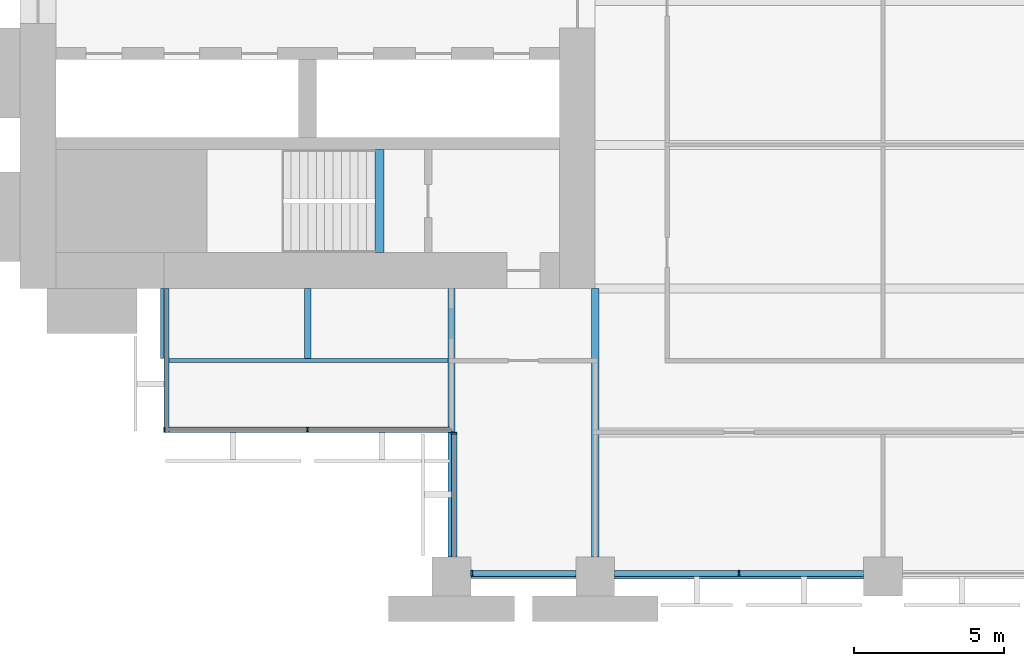
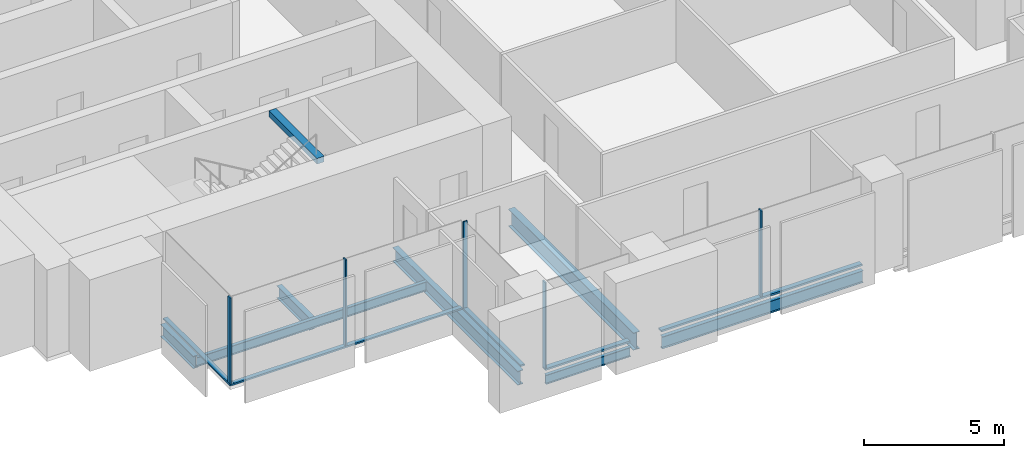
# One storey, part 2 of 14: 10 members, 8 beams, 4 elements without a shape of their own.
"""IFC4 building model written with IfcOpenShell, lengths in metres."""

import ifcopenshell
import ifcopenshell.guid

model = None  # the IFC model being written
_history = None  # IfcOwnerHistory: only IFC2X3 demands one
_inside = {}  # id of a spatial element -> (the spatial element, [elements in it])
_under = {}  # id of a project, library or spatial element -> (it, [spatial elements below it])
_declared = {}  # id of a project -> (the project, [libraries it declares])
_typed = {}  # id of a type object -> (the type object, [elements of that type])
_made_of = {}  # id of a material, layer set ... -> (it, [elements and type objects made of it])


def new_model(schema):
    """Start an empty IFC model of exactly this schema.

    Asked for "IFC4X3", IfcOpenShell would pick the latest addendum, in which some entities
    have other attributes; the version numbers below select the first issue.
    IFC2X3 requires an IfcOwnerHistory on every rooted entity: one is made here for all.
    """
    global model, _history
    if schema == "IFC4X3":
        model = ifcopenshell.file(schema_version=(4, 3, 0, 0))
    else:
        model = ifcopenshell.file(schema=schema)
    _inside.clear()
    _under.clear()
    _declared.clear()
    _typed.clear()
    _made_of.clear()
    _history = None
    if model.schema == "IFC2X3":
        org = make("IfcOrganization", Name="unknown")
        user = make(
            "IfcPersonAndOrganization",
            ThePerson=make("IfcPerson", FamilyName="unknown"),
            TheOrganization=org,
        )
        app = make(
            "IfcApplication",
            ApplicationDeveloper=org,
            Version="unknown",
            ApplicationFullName="unknown",
            ApplicationIdentifier="unknown",
        )
        _history = make(
            "IfcOwnerHistory",
            OwningUser=user,
            OwningApplication=app,
            ChangeAction="ADDED",
            CreationDate=0,
        )
    return model


def make(cls, **values):
    """One entity of the class cls with the attributes given. An attribute that is None is left unset."""
    return model.create_entity(
        cls, **{name: value for name, value in values.items() if value is not None}
    )


def rooted(cls, **values):
    """An entity with a GlobalId (a new one), such as an element, a storey or a relation."""
    return make(cls, GlobalId=ifcopenshell.guid.new(), OwnerHistory=_history, **values)


def si_unit(unit_type, name, prefix=None):
    """IfcSIUnit, for example si_unit("LENGTHUNIT", "METRE", prefix="MILLI")."""
    return make("IfcSIUnit", UnitType=unit_type, Prefix=prefix, Name=name)


def assignment(units):
    """IfcUnitAssignment: the units of a project."""
    return None if units is None else make("IfcUnitAssignment", Units=units)


def point(xyz):
    """IfcCartesianPoint."""
    return None if xyz is None else make("IfcCartesianPoint", Coordinates=xyz)


def direction(xyz):
    """IfcDirection."""
    return None if xyz is None else make("IfcDirection", DirectionRatios=xyz)


def frame(location, z_axis=None, x_axis=None):
    """IfcAxis2Placement3D, a coordinate frame: its origin and axes. An axis left out is left unset."""
    return make(
        "IfcAxis2Placement3D",
        Location=point(location),
        Axis=direction(z_axis),
        RefDirection=direction(x_axis),
    )


def frame_2d(location, x_axis=None):
    """IfcAxis2Placement2D, a coordinate frame in the plane: its origin and x axis."""
    return make(
        "IfcAxis2Placement2D", Location=point(location), RefDirection=direction(x_axis)
    )


def origin():
    """The frame at (0, 0, 0) with its axes left unset."""
    return frame((0.0, 0.0, 0.0))


def origin_2d():
    """The frame at (0, 0) in the plane with its x axis left unset."""
    return frame_2d((0.0, 0.0))


def place(relative_to, where):
    """IfcLocalPlacement: puts the frame where relative to a parent placement (None: the world)."""
    return make(
        "IfcLocalPlacement", PlacementRelTo=relative_to, RelativePlacement=where
    )


def context(
    kind, dimensions, precision=None, world=None, true_north=None, identifier=None
):
    """IfcGeometricRepresentationContext, for example the 3D "Model" context."""
    return make(
        "IfcGeometricRepresentationContext",
        ContextIdentifier=identifier,
        ContextType=kind,
        CoordinateSpaceDimension=dimensions,
        Precision=precision,
        WorldCoordinateSystem=world,
        TrueNorth=true_north,
    )


def subcontext(parent, identifier, kind, view, scale=None):
    """IfcGeometricRepresentationSubContext, for example "Body" below "Model"."""
    return make(
        "IfcGeometricRepresentationSubContext",
        ContextIdentifier=identifier,
        ContextType=kind,
        ParentContext=parent,
        TargetScale=scale,
        TargetView=view,
    )


def project(units=None, contexts=None):
    """IfcProject with its units and contexts."""
    return rooted(
        "IfcProject",
        Name="project",
        RepresentationContexts=contexts,
        UnitsInContext=assignment(units),
    )


def spatial(cls, under=None, at=None, **own):
    """A site, building, storey or space (cls), placed at a placement, below another one or the project."""
    s = rooted(cls, ObjectPlacement=at, **own)
    if under is not None:
        _under.setdefault(under.id(), (under, []))[1].append(s)
    return s


def profile(cls, at=None, kind="AREA", **sizes):
    """A parametric profile (cls). Its sizes go by their IFC names, for example OverallWidth=200.0."""
    return make(cls, ProfileType=kind, Position=at, **sizes)


def rectangle(**sizes):
    """IfcRectangleProfileDef."""
    return profile("IfcRectangleProfileDef", **sizes)


def i_section(**sizes):
    """IfcIShapeProfileDef."""
    return profile("IfcIShapeProfileDef", **sizes)


def extrude(swept, where, along, depth):
    """IfcExtrudedAreaSolid: the profile swept, set in the frame where, extruded along a direction by depth."""
    return make(
        "IfcExtrudedAreaSolid",
        SweptArea=swept,
        Position=where,
        ExtrudedDirection=direction(along),
        Depth=depth,
    )


def shape(context_of_items, identifier, shape_type, items):
    """IfcShapeRepresentation: the items that make up one representation, for example the "Body"."""
    return make(
        "IfcShapeRepresentation",
        ContextOfItems=context_of_items,
        RepresentationIdentifier=identifier,
        RepresentationType=shape_type,
        Items=items,
    )


def material(Name=None, Category=None):
    """IfcMaterial."""
    return make("IfcMaterial", Name=Name, Category=Category)


def material_profile(
    of_material, cross_section, Name=None, Category=None, Priority=None
):
    """IfcMaterialProfile: a cross section and its material."""
    return make(
        "IfcMaterialProfile",
        Name=Name,
        Material=of_material,
        Profile=cross_section,
        Priority=Priority,
        Category=Category,
    )


def profile_set(profiles, Name=None, composite=None):
    """IfcMaterialProfileSet."""
    return make(
        "IfcMaterialProfileSet",
        Name=Name,
        MaterialProfiles=profiles,
        CompositeProfile=composite,
    )


def made_of(thing, what):
    """Note that an element or type object is made of a material, layer set ...; save() writes the relation."""
    if what is not None:
        _made_of.setdefault(what.id(), (what, []))[1].append(thing)
    return thing


def type_object(cls, material=None, **own):
    """A type object (cls), such as IfcWallType, which elements share."""
    return made_of(rooted(cls, **own), material)


def element(
    cls,
    number,
    at=None,
    inside=None,
    cuts=None,
    type_object=None,
    material=None,
    context=None,
    identifier="Body",
    shape_type=None,
    held_by="IfcProductDefinitionShape",
    body=None,
    shapes=None,
    **own,
):
    """One element of the class cls, such as IfcWall. Its Tag is "e" and its number.

    at: its placement. inside: the storey or other place that contains it. cuts: it is an
    opening in that element (IfcRelVoidsElement). A single representation is given by context,
    identifier, shape_type and body (its items); several are given by shapes. held_by: the class
    of the entity that holds the representations. save() writes the other relations.
    """
    e = rooted(cls, Tag="e%d" % number, ObjectPlacement=at, **own)
    if body is not None:
        shapes = [shape(context, identifier, shape_type, body)]
    if shapes is not None:
        e.Representation = make(held_by, Representations=shapes)
    if inside is not None:
        _inside.setdefault(inside.id(), (inside, []))[1].append(e)
    if cuts is not None:
        rooted(
            "IfcRelVoidsElement", RelatingBuildingElement=cuts, RelatedOpeningElement=e
        )
    if type_object is not None:
        _typed.setdefault(type_object.id(), (type_object, []))[1].append(e)
    return made_of(e, material)


def aggregate(whole, parts):
    """IfcRelAggregates: a whole, such as a stair, and the parts it consists of."""
    return rooted("IfcRelAggregates", RelatingObject=whole, RelatedObjects=parts)


def save(model, path):
    """Write the relations noted so far, then the file.

    IfcRelAggregates (storeys below a building ...), IfcRelContainedInSpatialStructure (elements
    in a storey), IfcRelDefinesByType, IfcRelAssociatesMaterial and IfcRelDeclares: one each for
    every whole, place, type object, material and project.
    """
    for whole, parts in _under.values():
        aggregate(whole, parts)
    for where, things in _inside.values():
        rooted(
            "IfcRelContainedInSpatialStructure",
            RelatedElements=things,
            RelatingStructure=where,
        )
    for kind, things in _typed.values():
        rooted("IfcRelDefinesByType", RelatedObjects=things, RelatingType=kind)
    for what, things in _made_of.values():
        rooted("IfcRelAssociatesMaterial", RelatedObjects=things, RelatingMaterial=what)
    for by, libraries in _declared.values():
        rooted("IfcRelDeclares", RelatingContext=by, RelatedDefinitions=libraries)
    model.write(path)


model = new_model("IFC4")

# Units and contexts
model_context = context("Model", 3, precision=1e-05, world=origin(), true_north=direction((0.0, 1.0)))
body_context = subcontext(model_context, "Body", "Model", "MODEL_VIEW")
ifc_project = project(units=[si_unit("LENGTHUNIT", "METRE"), si_unit("AREAUNIT", "SQUARE_METRE"), si_unit("VOLUMEUNIT", "CUBIC_METRE"), si_unit("PLANEANGLEUNIT", "RADIAN"), si_unit("MASSUNIT", "GRAM", prefix="KILO")], contexts=[model_context])

# Site, building, storey
site_placement = place(None, origin())
site = spatial("IfcSite", under=ifc_project, at=site_placement, CompositionType="ELEMENT")
building_placement = place(site_placement, origin())
building = spatial("IfcBuilding", under=site, at=building_placement, Name="Baori Bourse Tower", CompositionType="ELEMENT")
storey_placement = place(building_placement, frame((0.0, 0.0, 43.0)))
storey = spatial("IfcBuildingStorey", under=building, at=storey_placement, Name="L08", CompositionType="ELEMENT", Elevation=43.0)

# Curtain wall, members
ifc_material_1 = material(Name="Pale anodised aluminium", Category="aluminium")
curtain_wall_type_1 = type_object("IfcCurtainWallType", Name="CW1 Curtain wall", PredefinedType="NOTDEFINED", material=ifc_material_1)
curtain_wall_1_placement = place(storey_placement, origin())
curtain_wall_1 = element("IfcCurtainWall", 1, at=curtain_wall_1_placement, inside=storey, type_object=curtain_wall_type_1, Name="Curtain wall CW1 L08 11", PredefinedType="NOTDEFINED")
ifc_material_2 = material(Name="Pale anodised aluminium", Category="aluminium")
ifc_material_profile_1 = material_profile(ifc_material_2, rectangle(XDim=0.199951171875, YDim=0.06005859375, at=origin_2d()), Name="Mullion 60x200")
ifc_profile_set_1 = profile_set([ifc_material_profile_1], Name="Pale anodised aluminium")
member_type_1 = type_object("IfcMemberType", Name="CW1 Curtain wall mullion", PredefinedType="MULLION", material=ifc_profile_set_1)
member_1_placement = place(storey_placement, frame((15.080078125, 0.10009765625, 0.080078125), z_axis=(0.0, 0.0, 1.0), x_axis=(0.0, 1.0, 0.0)))
member_1 = element("IfcMember", 2, at=member_1_placement, type_object=member_type_1, Name="Curtain wall CW1 mullion", PredefinedType="MULLION", context=body_context, shape_type="SweptSolid", body=[
    extrude(rectangle(XDim=0.199951171875, YDim=0.06005859375, at=origin_2d()), origin(), (0.0, 0.0, 1.0), 3.760009765625),
])
member_2_placement = place(storey_placement, frame((24.0, 0.10009765625, 0.080078125), z_axis=(0.0, 0.0, 1.0), x_axis=(0.0, 1.0, 0.0)))
member_2 = element("IfcMember", 3, at=member_2_placement, type_object=member_type_1, Name="Curtain wall CW1 mullion", PredefinedType="MULLION", context=body_context, shape_type="SweptSolid", body=[
    extrude(rectangle(XDim=0.199951171875, YDim=0.06005859375, at=origin_2d()), origin(), (0.0, 0.0, 1.0), 3.760009765625),
])
ifc_material_3 = material(Name="Pale anodised aluminium", Category="aluminium")
ifc_material_profile_2 = material_profile(ifc_material_3, rectangle(XDim=0.199951171875, YDim=0.080078125, at=origin_2d()), Name="Transom 80x200")
ifc_profile_set_2 = profile_set([ifc_material_profile_2], Name="Pale anodised aluminium")
member_type_2 = type_object("IfcMemberType", Name="CW1 Curtain wall transom", PredefinedType="USERDEFINED", material=ifc_profile_set_2)
member_3_placement = place(storey_placement, frame((15.050048828125, 0.10009765625, 0.0400390625), z_axis=(1.0, 0.0, 0.0), x_axis=(0.0, 1.0, 0.0)))
member_3 = element("IfcMember", 4, at=member_3_placement, type_object=member_type_2, Name="Curtain wall CW1 sill rail", ObjectType="TRANSOM", PredefinedType="USERDEFINED", context=body_context, shape_type="SweptSolid", body=[
    extrude(rectangle(XDim=0.199951171875, YDim=0.080078125, at=origin_2d()), origin(), (0.0, 0.0, 1.0), 3.5),
])
member_4_placement = place(storey_placement, frame((19.85009765625, 0.10009765625, 0.0400390625), z_axis=(1.0, 0.0, 0.0), x_axis=(0.0, 1.0, 0.0)))
member_4 = element("IfcMember", 5, at=member_4_placement, type_object=member_type_2, Name="Curtain wall CW1 sill rail", ObjectType="TRANSOM", PredefinedType="USERDEFINED", context=body_context, shape_type="SweptSolid", body=[
    extrude(rectangle(XDim=0.199951171875, YDim=0.080078125, at=origin_2d()), origin(), (0.0, 0.0, 1.0), 8.2998046875),
])
aggregate(curtain_wall_1, [member_3, member_1, member_4, member_2])

ifc_material_4 = material(Name="Pale anodised aluminium", Category="aluminium")
curtain_wall_type_2 = type_object("IfcCurtainWallType", Name="CW2 Curtain wall", PredefinedType="NOTDEFINED", material=ifc_material_4)
curtain_wall_2_placement = place(storey_placement, origin())
curtain_wall_2 = element("IfcCurtainWall", 6, at=curtain_wall_2_placement, inside=storey, type_object=curtain_wall_type_2, Name="Curtain wall CW2 L08 9", PredefinedType="NOTDEFINED")
ifc_material_5 = material(Name="Pale anodised aluminium", Category="aluminium")
ifc_material_profile_3 = material_profile(ifc_material_5, rectangle(XDim=0.179931640625, YDim=0.054931640625, at=origin_2d()), Name="Mullion 55x180")
ifc_profile_set_3 = profile_set([ifc_material_profile_3], Name="Pale anodised aluminium")
member_type_3 = type_object("IfcMemberType", Name="CW2 Curtain wall mullion", PredefinedType="MULLION", material=ifc_profile_set_3)
member_5_placement = place(storey_placement, frame((4.827392578125, 4.889892578125, 0.070068359375), z_axis=(0.0, 0.0, 1.0), x_axis=(0.0, 1.0, 0.0)))
member_5 = element("IfcMember", 7, at=member_5_placement, type_object=member_type_3, Name="Curtain wall CW2 mullion", PredefinedType="MULLION", context=body_context, shape_type="SweptSolid", body=[
    extrude(rectangle(XDim=0.179931640625, YDim=0.054931640625, at=origin_2d()), origin(), (0.0, 0.0, 1.0), 3.77001953125),
])
member_6_placement = place(storey_placement, frame((9.60009765625, 4.889892578125, 0.070068359375), z_axis=(0.0, 0.0, 1.0), x_axis=(0.0, 1.0, 0.0)))
member_6 = element("IfcMember", 8, at=member_6_placement, type_object=member_type_3, Name="Curtain wall CW2 mullion", PredefinedType="MULLION", context=body_context, shape_type="SweptSolid", body=[
    extrude(rectangle(XDim=0.179931640625, YDim=0.054931640625, at=origin_2d()), origin(), (0.0, 0.0, 1.0), 3.77001953125),
])

# Curtain wall, member
curtain_wall_3_placement = place(storey_placement, origin())
curtain_wall_3 = element("IfcCurtainWall", 9, at=curtain_wall_3_placement, inside=storey, type_object=curtain_wall_type_2, Name="Curtain wall CW2 L08 10", PredefinedType="NOTDEFINED")
member_7_placement = place(storey_placement, frame((14.489990234375, 4.7724609375, 0.070068359375), z_axis=(0.0, 0.0, 1.0), x_axis=(1.0, 0.0, 0.0)))
member_7 = element("IfcMember", 10, at=member_7_placement, type_object=member_type_3, Name="Curtain wall CW2 mullion", PredefinedType="MULLION", context=body_context, shape_type="SweptSolid", body=[
    extrude(rectangle(XDim=0.179931640625, YDim=0.054931640625, at=origin_2d()), origin(), (0.0, 0.0, 1.0), 3.77001953125),
])

curtain_wall_4_placement = place(storey_placement, origin())
curtain_wall_4 = element("IfcCurtainWall", 11, at=curtain_wall_4_placement, inside=storey, type_object=curtain_wall_type_2, Name="Curtain wall CW2 L08 8", PredefinedType="NOTDEFINED")
ifc_material_6 = material(Name="Pale anodised aluminium", Category="aluminium")
ifc_material_profile_4 = material_profile(ifc_material_6, rectangle(XDim=0.179931640625, YDim=0.070068359375, at=origin_2d()), Name="Transom 70x180")
ifc_profile_set_4 = profile_set([ifc_material_profile_4], Name="Pale anodised aluminium")
member_type_4 = type_object("IfcMemberType", Name="CW2 Curtain wall transom", PredefinedType="USERDEFINED", material=ifc_profile_set_4)
member_8_placement = place(storey_placement, frame((4.889892578125, 9.60009765625, 0.034912109375), z_axis=(0.0, -1.0, 0.0), x_axis=(1.0, 0.0, 0.0)))
member_8 = element("IfcMember", 12, at=member_8_placement, type_object=member_type_4, Name="Curtain wall CW2 sill rail", ObjectType="TRANSOM", PredefinedType="USERDEFINED", context=body_context, shape_type="SweptSolid", body=[
    extrude(rectangle(XDim=0.179931640625, YDim=0.070068359375, at=origin_2d()), origin(), (0.0, 0.0, 1.0), 4.800048828125),
])
aggregate(curtain_wall_4, [member_8])

# Member
member_9_placement = place(storey_placement, frame((4.800048828125, 4.889892578125, 0.034912109375), z_axis=(1.0, 0.0, 0.0), x_axis=(0.0, 1.0, 0.0)))
member_9 = element("IfcMember", 13, at=member_9_placement, type_object=member_type_4, Name="Curtain wall CW2 sill rail", ObjectType="TRANSOM", PredefinedType="USERDEFINED", context=body_context, shape_type="SweptSolid", body=[
    extrude(rectangle(XDim=0.179931640625, YDim=0.070068359375, at=origin_2d()), origin(), (0.0, 0.0, 1.0), 9.599853515625),
])

aggregate(curtain_wall_2, [member_9, member_5, member_6])

member_10_placement = place(storey_placement, frame((14.489990234375, 4.800048828125, 0.034912109375), z_axis=(0.0, -1.0, 0.0), x_axis=(1.0, 0.0, 0.0)))
member_10 = element("IfcMember", 14, at=member_10_placement, type_object=member_type_4, Name="Curtain wall CW2 sill rail", ObjectType="TRANSOM", PredefinedType="USERDEFINED", context=body_context, shape_type="SweptSolid", body=[
    extrude(rectangle(XDim=0.179931640625, YDim=0.070068359375, at=origin_2d()), origin(), (0.0, 0.0, 1.0), 4.150146484375),
])

aggregate(curtain_wall_3, [member_10, member_7])

# Beams
ifc_material_7 = material(Name="Steel A992 Gr 50", Category="steel")
ifc_material_profile_5 = material_profile(ifc_material_7, i_section(OverallWidth=0.21240234375, OverallDepth=0.54345703125, WebThickness=0.01318359375, FlangeThickness=0.021240234375, at=origin_2d()), Name="W21x83")
ifc_profile_set_5 = profile_set([ifc_material_profile_5], Name="Steel A992 Gr 50")
beam_type_1 = type_object("IfcBeamType", Name="Core bracket W21x83", PredefinedType="BEAM", material=ifc_profile_set_5)
for number, where, z_axis, x_axis, name in (
    (15, (4.800048828125, 7.270263671875, -0.431884765625), (0.0, 1.0, 0.0), (-1.0, 0.0, 0.0), "Core bracket L08"),
    (16, (9.60009765625, 7.270263671875, -0.431884765625), (0.0, 1.0, 0.0), (-1.0, 0.0, 0.0), "Core bracket L08"),
):
    element("IfcBeam", number, at=place(storey_placement, frame(where, z_axis=z_axis, x_axis=x_axis)), inside=storey, type_object=beam_type_1, Name=name, PredefinedType="BEAM", context=body_context, shape_type="SweptSolid", body=[
        extrude(i_section(OverallWidth=0.21240234375, OverallDepth=0.54345703125, WebThickness=0.01318359375, FlangeThickness=0.021240234375, at=origin_2d()), origin(), (0.0, 0.0, 1.0), 2.329833984375),
    ])
ifc_material_8 = material(Name="Steel A992 Gr 50", Category="steel")
ifc_material_profile_6 = material_profile(ifc_material_8, i_section(OverallWidth=0.140380859375, OverallDepth=0.40380859375, WebThickness=0.007080078125, FlangeThickness=0.01123046875, at=origin_2d()), Name="W16x31")
ifc_profile_set_6 = profile_set([ifc_material_profile_6], Name="Steel A992 Gr 50")
beam_type_2 = type_object("IfcBeamType", Name="Edge beam W16x31", PredefinedType="BEAM", material=ifc_profile_set_6)
beam_1_placement = place(storey_placement, frame((15.050048828125, 0.0, -0.36181640625), z_axis=(1.0, 0.0, 0.0), x_axis=(0.0, 1.0, 0.0)))
element("IfcBeam", 17, at=beam_1_placement, inside=storey, type_object=beam_type_2, Name="Edge beam L08", PredefinedType="BEAM", context=body_context, shape_type="SweptSolid", body=[
    extrude(i_section(OverallWidth=0.140380859375, OverallDepth=0.40380859375, WebThickness=0.007080078125, FlangeThickness=0.01123046875, at=origin_2d()), origin(), (0.0, 0.0, 1.0), 3.5),
])
ifc_material_9 = material(Name="Steel A992 Gr 50", Category="steel")
ifc_material_profile_7 = material_profile(ifc_material_9, i_section(OverallWidth=0.1650390625, OverallDepth=0.52587890625, WebThickness=0.0087890625, FlangeThickness=0.011474609375, at=origin_2d()), Name="W21x44")
ifc_profile_set_7 = profile_set([ifc_material_profile_7], Name="Steel A992 Gr 50")
beam_type_3 = type_object("IfcBeamType", Name="Edge beam W21x44", PredefinedType="BEAM", material=ifc_profile_set_7)
beam_2_placement = place(storey_placement, frame((19.85009765625, 0.0, -0.4228515625), z_axis=(1.0, 0.0, 0.0), x_axis=(0.0, 1.0, 0.0)))
element("IfcBeam", 18, at=beam_2_placement, inside=storey, type_object=beam_type_3, Name="Edge beam L08", PredefinedType="BEAM", context=body_context, shape_type="SweptSolid", body=[
    extrude(i_section(OverallWidth=0.1650390625, OverallDepth=0.52587890625, WebThickness=0.0087890625, FlangeThickness=0.011474609375, at=origin_2d()), origin(), (0.0, 0.0, 1.0), 8.2998046875),
])
ifc_material_10 = material(Name="Steel A992 Gr 50", Category="steel")
ifc_material_profile_8 = material_profile(ifc_material_10, i_section(OverallWidth=0.22900390625, OverallDepth=0.612060546875, WebThickness=0.011962890625, FlangeThickness=0.01953125, at=origin_2d()), Name="W24x84")
ifc_profile_set_8 = profile_set([ifc_material_profile_8], Name="Steel A992 Gr 50")
beam_type_4 = type_object("IfcBeamType", Name="Floor beam W24x84", PredefinedType="BEAM", material=ifc_profile_set_8)
beam_3_placement = place(storey_placement, frame((14.39990234375, 0.64990234375, -0.466064453125), z_axis=(0.0, 1.0, 0.0), x_axis=(-1.0, 0.0, 0.0)))
element("IfcBeam", 19, at=beam_3_placement, inside=storey, type_object=beam_type_4, Name="Floor beam L08", PredefinedType="BEAM", context=body_context, shape_type="SweptSolid", body=[
    extrude(i_section(OverallWidth=0.22900390625, OverallDepth=0.612060546875, WebThickness=0.011962890625, FlangeThickness=0.01953125, at=origin_2d()), origin(), (0.0, 0.0, 1.0), 8.9501953125),
])
ifc_material_11 = material(Name="Steel A992 Gr 50", Category="steel")
ifc_material_profile_9 = material_profile(ifc_material_11, i_section(OverallWidth=0.2666015625, OverallDepth=0.7568359375, WebThickness=0.013916015625, FlangeThickness=0.019287109375, at=origin_2d()), Name="W30x108")
ifc_profile_set_9 = profile_set([ifc_material_profile_9], Name="Steel A992 Gr 50")
beam_type_5 = type_object("IfcBeamType", Name="Girder W30x108", PredefinedType="BEAM", material=ifc_profile_set_9)
beam_4_placement = place(storey_placement, frame((19.199951171875, 0.64990234375, -0.53857421875), z_axis=(0.0, 1.0, 0.0), x_axis=(-1.0, 0.0, 0.0)))
element("IfcBeam", 20, at=beam_4_placement, inside=storey, type_object=beam_type_5, Name="Girder L08", PredefinedType="BEAM", context=body_context, shape_type="SweptSolid", body=[
    extrude(i_section(OverallWidth=0.2666015625, OverallDepth=0.7568359375, WebThickness=0.013916015625, FlangeThickness=0.019287109375, at=origin_2d()), origin(), (0.0, 0.0, 1.0), 8.9501953125),
])
ifc_material_12 = material(Name="Concrete f'c 50 MPa", Category="concrete")
ifc_material_profile_10 = material_profile(ifc_material_12, rectangle(XDim=0.300048828125, YDim=0.25, at=origin_2d()), Name="RC 300x250")
ifc_profile_set_10 = profile_set([ifc_material_profile_10], Name="Concrete f'c 50 MPa")
beam_type_6 = type_object("IfcBeamType", Name="Stair nib beam RC 300x250", PredefinedType="BEAM", material=ifc_profile_set_10)
beam_5_placement = place(storey_placement, frame((12.0, 10.800048828125, 3.715087890625), z_axis=(0.0, 1.0, 0.0), x_axis=(-1.0, 0.0, 0.0)))
element("IfcBeam", 21, at=beam_5_placement, inside=storey, type_object=beam_type_6, Name="Stair WA nib beam L09", PredefinedType="BEAM", context=body_context, shape_type="SweptSolid", body=[
    extrude(rectangle(XDim=0.300048828125, YDim=0.25, at=origin_2d()), origin(), (0.0, 0.0, 1.0), 3.449951171875),
])
ifc_material_13 = material(Name="Steel A992 Gr 50", Category="steel")
ifc_material_profile_11 = material_profile(ifc_material_13, i_section(OverallWidth=0.140380859375, OverallDepth=0.40380859375, WebThickness=0.007080078125, FlangeThickness=0.01123046875, at=origin_2d()), Name="W16x31")
ifc_profile_set_11 = profile_set([ifc_material_profile_11], Name="Steel A992 Gr 50")
beam_type_7 = type_object("IfcBeamType", Name="Trimmer beam W16x31", PredefinedType="BEAM", material=ifc_profile_set_11)
beam_6_placement = place(storey_placement, frame((4.800048828125, 7.199951171875, -0.36181640625), z_axis=(1.0, 0.0, 0.0), x_axis=(0.0, 1.0, 0.0)))
element("IfcBeam", 22, at=beam_6_placement, inside=storey, type_object=beam_type_7, Name="Trimmer beam L08", PredefinedType="BEAM", context=body_context, shape_type="SweptSolid", body=[
    extrude(i_section(OverallWidth=0.140380859375, OverallDepth=0.40380859375, WebThickness=0.007080078125, FlangeThickness=0.01123046875, at=origin_2d()), origin(), (0.0, 0.0, 1.0), 9.4853515625),
])

save(model, "model.ifc")
